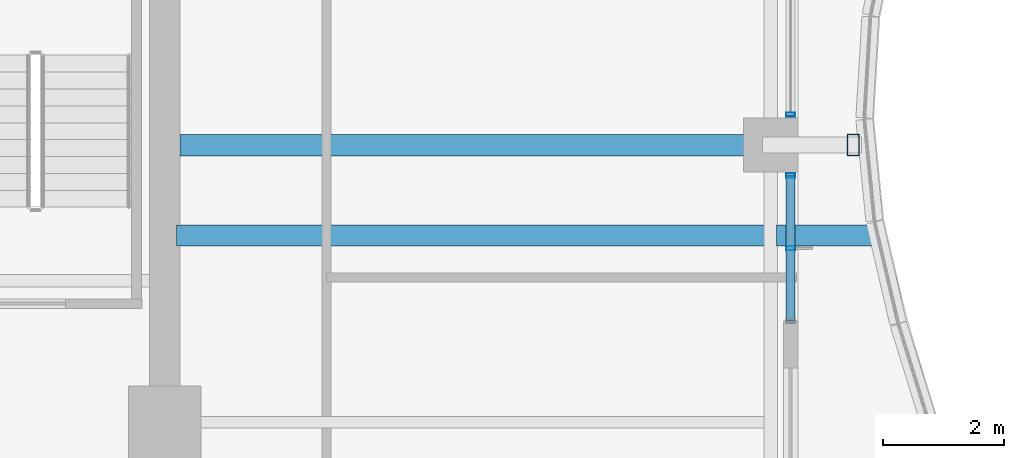
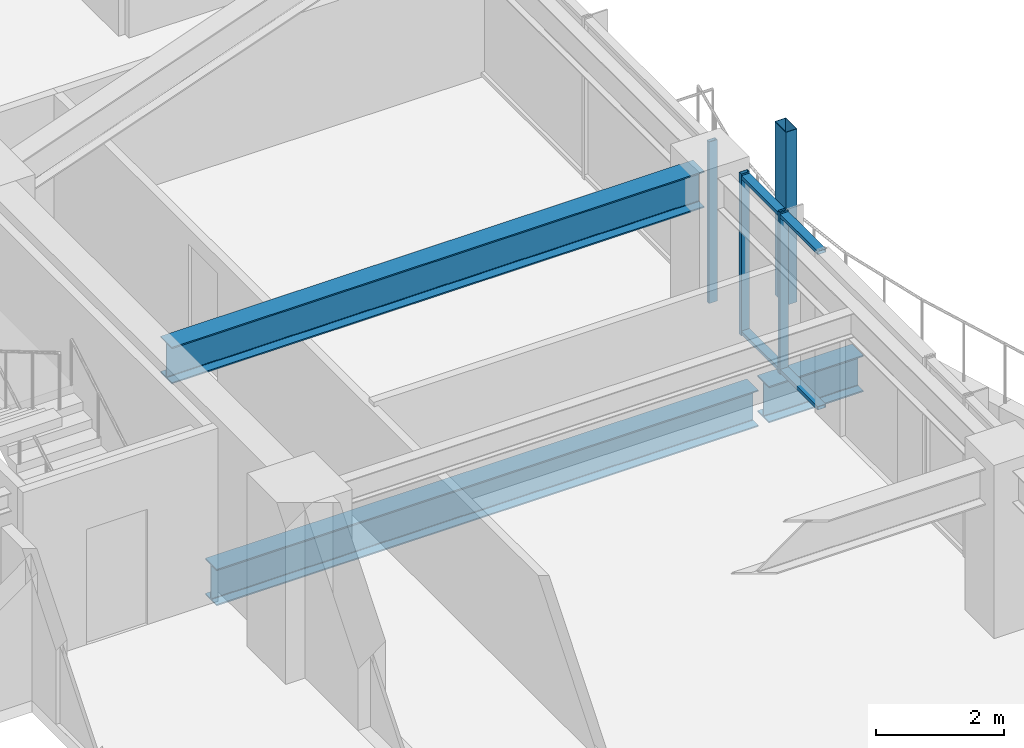
# One storey, part 15 of 35: 6 members, 3 beams, 2 elements without a shape of their own.
"""IFC4 building model written with IfcOpenShell, lengths in metres."""

from ifc_helpers import new_model, si_unit, direction, frame, origin, origin_2d, place, context, subcontext, project, spatial, hollow_rectangle, i_section, extrude, material, material_profile, profile_set, type_object, element, aggregate, save


model = new_model("IFC4")

# Units and contexts
model_context = context("Model", 3, precision=1e-05, world=origin(), true_north=direction((0.0, 1.0)))
body_context = subcontext(model_context, "Body", "Model", "MODEL_VIEW")
ifc_project = project(units=[si_unit("LENGTHUNIT", "METRE"), si_unit("AREAUNIT", "SQUARE_METRE"), si_unit("VOLUMEUNIT", "CUBIC_METRE"), si_unit("PLANEANGLEUNIT", "RADIAN"), si_unit("MASSUNIT", "GRAM", prefix="KILO")], contexts=[model_context])

# Site, building, storey
site_placement = place(None, origin())
site = spatial("IfcSite", under=ifc_project, at=site_placement, CompositionType="ELEMENT")
building_placement = place(site_placement, origin())
building = spatial("IfcBuilding", under=site, at=building_placement, Name="Kolvaren Belvedere", CompositionType="ELEMENT")
storey_placement = place(building_placement, frame((0.0, 0.0, 183.300048828125)))
storey = spatial("IfcBuildingStorey", under=building, at=storey_placement, Name="L53", CompositionType="ELEMENT", Elevation=183.300048828125)

# Beams
ifc_material_1 = material(Name="Structural steel ASTM A992 Grade 50", Category="steel")
ifc_material_profile_1 = material_profile(ifc_material_1, i_section(OverallWidth=0.35498046875, OverallDepth=0.696044921875, WebThickness=0.015380859375, FlangeThickness=0.02490234375, FilletRadius=0.02197265625, at=origin_2d()), Name="W27X146")
ifc_profile_set_1 = profile_set([ifc_material_profile_1], Name="Structural steel ASTM A992 Grade 50")
beam_type_1 = type_object("IfcBeamType", Name="BM-CANT-BAL", PredefinedType="BEAM", material=ifc_profile_set_1)
beam_1_placement = place(storey_placement, frame((20.044921875, 3.10009765625, -0.568115234375), z_axis=(1.0, 0.0, 0.0), x_axis=(0.0, 1.0, 0.0)))
element("IfcBeam", 1, at=beam_1_placement, inside=storey, type_object=beam_type_1, Name="L53 Planted Balcony Cantilever BAL-E-2", PredefinedType="BEAM", context=body_context, shape_type="SweptSolid", body=[
    extrude(i_section(OverallWidth=0.35498046875, OverallDepth=0.696044921875, WebThickness=0.015380859375, FlangeThickness=0.02490234375, FilletRadius=0.02197265625, at=origin_2d()), origin(), (0.0, 0.0, 1.0), 1.703857421875),
])
ifc_material_2 = material(Name="Structural steel ASTM A992 Grade 50", Category="steel")
ifc_material_profile_2 = material_profile(ifc_material_2, i_section(OverallWidth=0.35498046875, OverallDepth=0.696044921875, WebThickness=0.015380859375, FlangeThickness=0.02490234375, FilletRadius=0.02197265625, at=origin_2d()), Name="W27X146")
ifc_profile_set_2 = profile_set([ifc_material_profile_2], Name="Structural steel ASTM A992 Grade 50")
beam_type_2 = type_object("IfcBeamType", Name="BM-GIRD-W27X146", PredefinedType="BEAM", material=ifc_profile_set_2)
beam_2_placement = place(storey_placement, frame((10.090087890625, 3.10009765625, -0.568115234375), z_axis=(1.0, 0.0, 0.0), x_axis=(0.0, 1.0, 0.0)))
element("IfcBeam", 2, at=beam_2_placement, inside=storey, type_object=beam_type_2, Name="L53 Balcony Interior Back-Span Girder BAL-E-2", PredefinedType="BEAM", context=body_context, shape_type="SweptSolid", body=[
    extrude(i_section(OverallWidth=0.35498046875, OverallDepth=0.696044921875, WebThickness=0.015380859375, FlangeThickness=0.02490234375, FilletRadius=0.02197265625, at=origin_2d()), origin(), (0.0, 0.0, 1.0), 9.764892578125),
])
beam_3_placement = place(storey_placement, frame((10.14990234375, 4.60009765625, 2.73193359375), z_axis=(1.0, 0.0, 0.0), x_axis=(0.0, 1.0, 0.0)))
element("IfcBeam", 3, at=beam_3_placement, inside=storey, type_object=beam_type_2, Name="L53 East Radial Girder P", PredefinedType="BEAM", context=body_context, shape_type="SweptSolid", body=[
    extrude(i_section(OverallWidth=0.35498046875, OverallDepth=0.696044921875, WebThickness=0.015380859375, FlangeThickness=0.02490234375, FilletRadius=0.02197265625, at=origin_2d()), origin(), (0.0, 0.0, 1.0), 9.59765625),
])

# Curtain wall, member
ifc_material_3 = material(Name="Anodised pale-metal aluminium AA 6063-T6", Category="aluminium")
curtain_wall_type = type_object("IfcCurtainWallType", Name="CW-Z5-HIGH", PredefinedType="NOTDEFINED", material=ifc_material_3)
curtain_wall_1_placement = place(storey_placement, origin())
curtain_wall_1 = element("IfcCurtainWall", 4, at=curtain_wall_1_placement, inside=storey, type_object=curtain_wall_type, Name="L53 Unitised Curtain Wall FCW-L53-E1-B1", PredefinedType="NOTDEFINED")
ifc_material_4 = material(Name="Anodised pale-metal aluminium AA 6063-T6", Category="aluminium")
ifc_material_profile_3 = material_profile(ifc_material_4, hollow_rectangle(XDim=0.070068359375, YDim=0.14990234375, WallThickness=0.004150390625, at=origin_2d()), Name="ALU-MUL-150X70")
ifc_profile_set_3 = profile_set([ifc_material_profile_3], Name="Anodised pale-metal aluminium AA 6063-T6")
member_type_1 = type_object("IfcMemberType", Name="CW-MUL-150", PredefinedType="MULLION", material=ifc_profile_set_3)
member_1_placement = place(storey_placement, frame((20.280029296875, 5.10498046875, 0.0), z_axis=(0.0, 0.0, 1.0), x_axis=(0.0, 1.0, 0.0)))
member_1 = element("IfcMember", 5, at=member_1_placement, type_object=member_type_1, Name="FCW-L53-E1-B1 Unitised Mullion 3", PredefinedType="MULLION", context=body_context, shape_type="SweptSolid", body=[
    extrude(hollow_rectangle(XDim=0.070068359375, YDim=0.14990234375, WallThickness=0.004150390625, at=origin_2d()), origin(), (0.0, 0.0, 1.0), 3.079833984375),
])
aggregate(curtain_wall_1, [member_1])

# Curtain wall, members
curtain_wall_2_placement = place(storey_placement, origin())
curtain_wall_2 = element("IfcCurtainWall", 6, at=curtain_wall_2_placement, inside=storey, type_object=curtain_wall_type, Name="L53 Unitised Curtain Wall FCW-L53-E1-B2", PredefinedType="NOTDEFINED")
member_2_placement = place(storey_placement, frame((20.280029296875, 4.094970703125, 0.0), z_axis=(0.0, 0.0, 1.0), x_axis=(0.0, 1.0, 0.0)))
member_2 = element("IfcMember", 7, at=member_2_placement, type_object=member_type_1, Name="FCW-L53-E1-B2 Unitised Mullion 1", PredefinedType="MULLION", context=body_context, shape_type="SweptSolid", body=[
    extrude(hollow_rectangle(XDim=0.070068359375, YDim=0.14990234375, WallThickness=0.004150390625, at=origin_2d()), origin(), (0.0, 0.0, 1.0), 3.079833984375),
])
member_3_placement = place(storey_placement, frame((20.280029296875, 2.887451171875, 0.0), z_axis=(0.0, 0.0, 1.0), x_axis=(0.0, 1.0, 0.0)))
member_3 = element("IfcMember", 8, at=member_3_placement, type_object=member_type_1, Name="FCW-L53-E1-B2 Unitised Mullion 2", PredefinedType="MULLION", context=body_context, shape_type="SweptSolid", body=[
    extrude(hollow_rectangle(XDim=0.070068359375, YDim=0.14990234375, WallThickness=0.004150390625, at=origin_2d()), origin(), (0.0, 0.0, 1.0), 3.079833984375),
])
ifc_material_5 = material(Name="Anodised pale-metal aluminium AA 6063-T6", Category="aluminium")
ifc_material_profile_4 = material_profile(ifc_material_5, hollow_rectangle(XDim=0.06494140625, YDim=0.14990234375, WallThickness=0.00390625, at=origin_2d()), Name="ALU-TRN-150X65")
ifc_profile_set_4 = profile_set([ifc_material_profile_4], Name="Anodised pale-metal aluminium AA 6063-T6")
member_type_2 = type_object("IfcMemberType", Name="CW-TRN-150", PredefinedType="USERDEFINED", material=ifc_profile_set_4)
member_4_placement = place(storey_placement, frame((20.280029296875, 4.094970703125, 0.06005859375), z_axis=(0.0, -1.0, 0.0), x_axis=(0.0, 0.0, 1.0)))
member_4 = element("IfcMember", 9, at=member_4_placement, type_object=member_type_2, Name="FCW-L53-E1-B2 Sill Transom", ObjectType="TRANSOM", PredefinedType="USERDEFINED", context=body_context, shape_type="SweptSolid", body=[
    extrude(hollow_rectangle(XDim=0.06494140625, YDim=0.14990234375, WallThickness=0.00390625, at=origin_2d()), origin(), (0.0, 0.0, 1.0), 2.4150390625),
])
member_5_placement = place(storey_placement, frame((20.280029296875, 4.094970703125, 3.02001953125), z_axis=(0.0, -1.0, 0.0), x_axis=(0.0, 0.0, 1.0)))
member_5 = element("IfcMember", 10, at=member_5_placement, type_object=member_type_2, Name="FCW-L53-E1-B2 Head Transom", ObjectType="TRANSOM", PredefinedType="USERDEFINED", context=body_context, shape_type="SweptSolid", body=[
    extrude(hollow_rectangle(XDim=0.06494140625, YDim=0.14990234375, WallThickness=0.00390625, at=origin_2d()), origin(), (0.0, 0.0, 1.0), 2.4150390625),
])
aggregate(curtain_wall_2, [member_2, member_3, member_4, member_5])

# Member
ifc_material_6 = material(Name="Anodised pale-metal aluminium AA 6063-T6", Category="aluminium")
ifc_material_profile_5 = material_profile(ifc_material_6, hollow_rectangle(XDim=0.199951171875, YDim=0.35009765625, WallThickness=0.007568359375, at=origin_2d()), Name="ALU-PF-350X200")
ifc_profile_set_5 = profile_set([ifc_material_profile_5], Name="Anodised pale-metal aluminium AA 6063-T6")
member_type_3 = type_object("IfcMemberType", Name="PF-FRAME-350", PredefinedType="USERDEFINED", material=ifc_profile_set_5)
member_6_placement = place(storey_placement, frame((21.320068359375, 4.60009765625, 0.0), z_axis=(0.0, 0.0, 1.0), x_axis=(1.0, 0.0, 0.0)))
element("IfcMember", 11, at=member_6_placement, inside=storey, type_object=member_type_3, Name="L53 Outboard Picture-Frame Vertical E1", ObjectType="PICTURE FRAME FIN", PredefinedType="USERDEFINED", context=body_context, shape_type="SweptSolid", body=[
    extrude(hollow_rectangle(XDim=0.199951171875, YDim=0.35009765625, WallThickness=0.007568359375, at=origin_2d()), origin(), (0.0, 0.0, 1.0), 3.300048828125),
])

save(model, "model.ifc")
